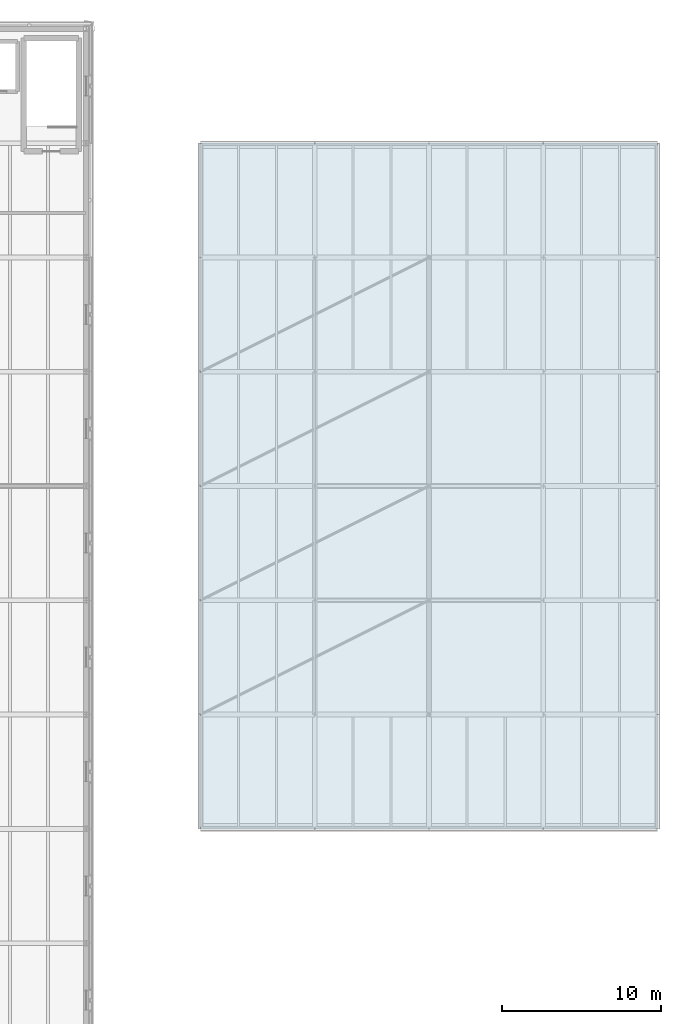
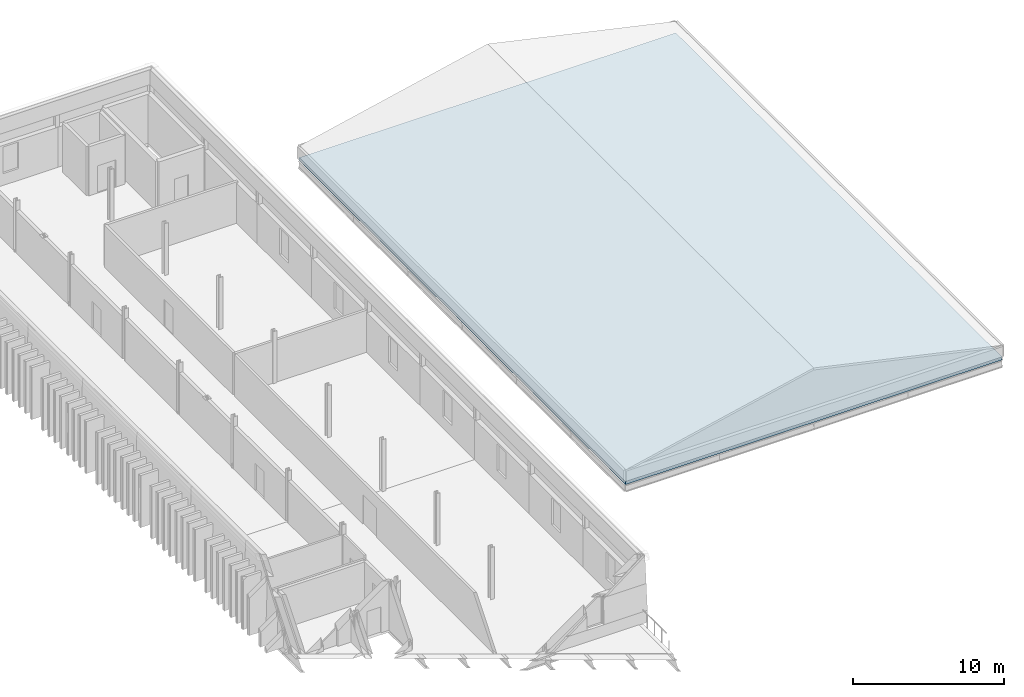
# One storey, part 19 of 44: 1 slab.
"""IFC4 building model written with IfcOpenShell, lengths in metres."""

from ifc_helpers import new_model, si_unit, direction, frame, origin, place, context, subcontext, project, spatial, polyline, outline, extrude, material, layer, layer_set, type_object, element, save


model = new_model("IFC4")

# Units and contexts
model_context = context("Model", 3, precision=1e-05, world=origin(), true_north=direction((0.0, 1.0)))
body_context = subcontext(model_context, "Body", "Model", "MODEL_VIEW")
ifc_project = project(units=[si_unit("LENGTHUNIT", "METRE"), si_unit("AREAUNIT", "SQUARE_METRE"), si_unit("VOLUMEUNIT", "CUBIC_METRE"), si_unit("PLANEANGLEUNIT", "RADIAN"), si_unit("MASSUNIT", "GRAM", prefix="KILO")], contexts=[model_context])

# Site, building, storey
site_placement = place(None, origin())
site = spatial("IfcSite", under=ifc_project, at=site_placement, CompositionType="ELEMENT")
building_placement = place(site_placement, origin())
building = spatial("IfcBuilding", under=site, at=building_placement, Name="Narikvali Park Central Library", CompositionType="ELEMENT")
storey_placement = place(building_placement, frame((0.0, 0.0, 22.800048828125)))
storey = spatial("IfcBuildingStorey", under=building, at=storey_placement, Name="L05", CompositionType="ELEMENT", Elevation=22.800048828125)

# Slab
ifc_material = material(Name="Concrete C35/45", Category="concrete")
ifc_layer = layer(ifc_material, 0.239990234375, Name="Concrete C35/45")
ifc_layer_set = layer_set([ifc_layer], Name="Concrete C35/45")
slab_type = type_object("IfcSlabType", Name="Flat Acoustic Roof Slab 240", PredefinedType="ROOF", material=ifc_layer_set)
slab_placement = place(storey_placement, frame((0.0, 0.0, -0.239990234375)))
element("IfcSlab", 1, at=slab_placement, inside=storey, type_object=slab_type, Name="V4 L05 Structural Slab", PredefinedType="ROOF", context=body_context, shape_type="SweptSolid", body=[
    extrude(outline(polyline([(28.800048828125, 57.60009765625), (57.60009765625, 57.60009765625), (57.60009765625, 100.800048828125), (28.800048828125, 100.800048828125), (28.800048828125, 57.60009765625)])), origin(), (0.0, 0.0, 1.0), 0.239990234375),
])

save(model, "model.ifc")
